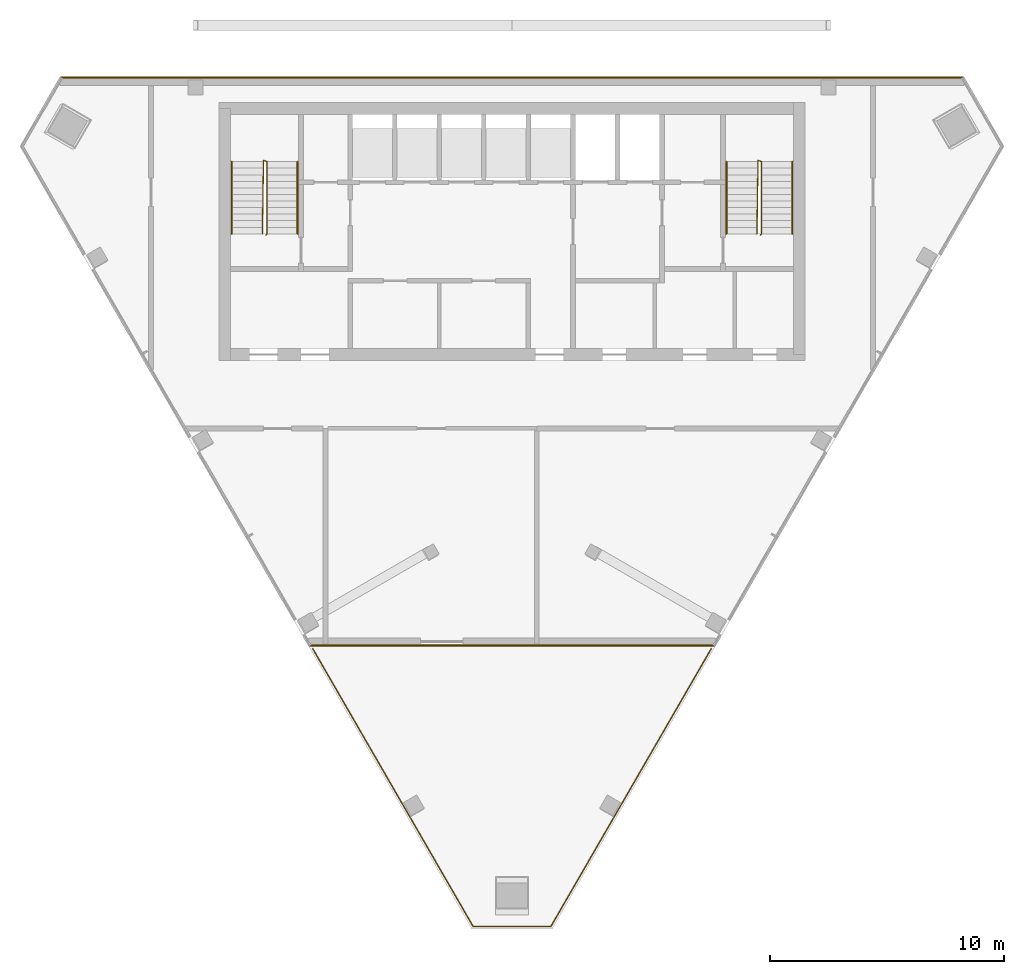
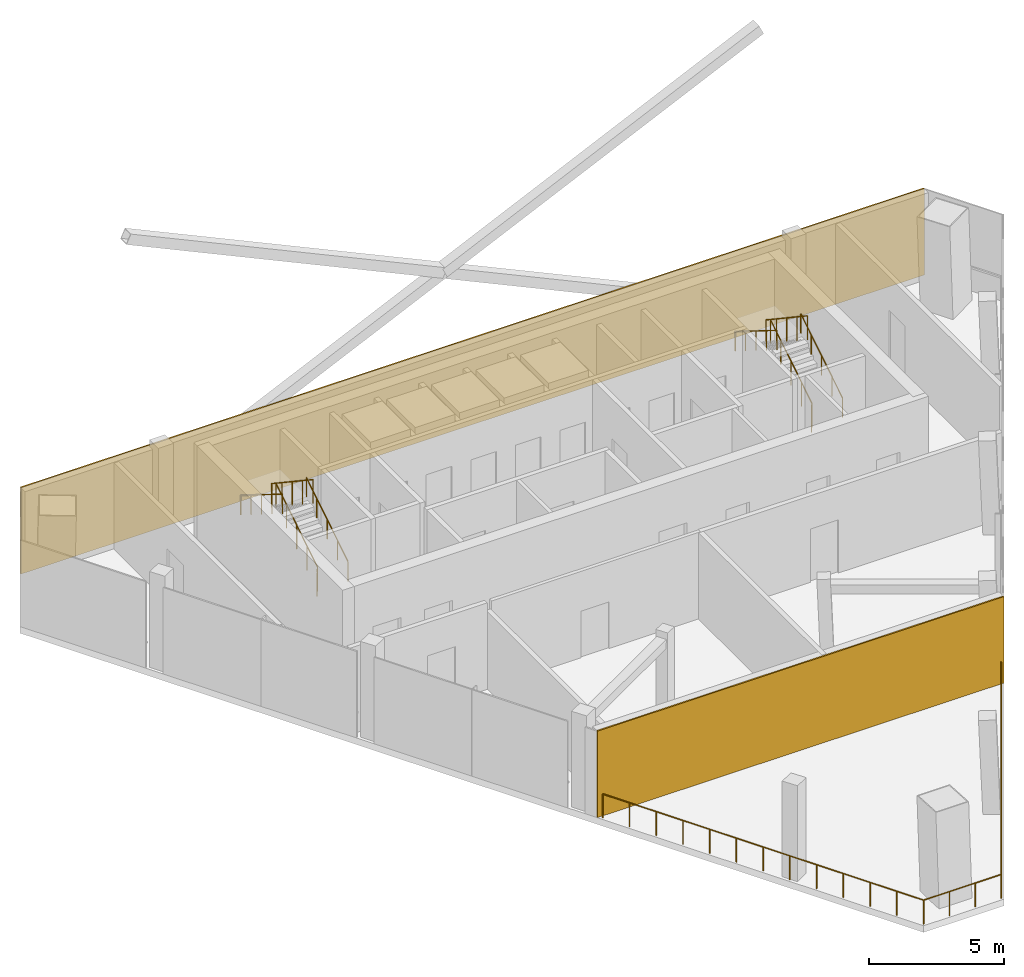
# One storey, part 7 of 8: 7 railings, 2 coverings.
"""IFC4 building model written with IfcOpenShell, lengths in metres."""

from ifc_helpers import new_model, si_unit, direction, frame, frame_2d, origin, origin_2d, place, context, subcontext, project, spatial, rectangle, circle, extrude, material, layer, layer_set, type_object, element, save


model = new_model("IFC4")

# Units and contexts
model_context = context("Model", 3, precision=1e-05, world=origin(), true_north=direction((0.0, 1.0)))
body_context = subcontext(model_context, "Body", "Model", "MODEL_VIEW")
ifc_project = project(units=[si_unit("LENGTHUNIT", "METRE"), si_unit("AREAUNIT", "SQUARE_METRE"), si_unit("VOLUMEUNIT", "CUBIC_METRE"), si_unit("PLANEANGLEUNIT", "RADIAN"), si_unit("MASSUNIT", "GRAM", prefix="KILO")], contexts=[model_context])

# Site, building, storey
site_placement = place(None, origin())
site = spatial("IfcSite", under=ifc_project, at=site_placement, CompositionType="ELEMENT")
building_placement = place(site_placement, origin())
building = spatial("IfcBuilding", under=site, at=building_placement, Name="Altiplano Prism Tower", CompositionType="ELEMENT")
storey_placement = place(building_placement, frame((0.0, 0.0, 334.60009765625)))
storey = spatial("IfcBuildingStorey", under=building, at=storey_placement, Name="L87", CompositionType="ELEMENT", Elevation=334.60009765625)

# Railings
ifc_material_1 = material(Name="Steel S355", Category="steel")
railing_type_1 = type_object("IfcRailingType", Name="Open-edge guard 1100", PredefinedType="GUARDRAIL", material=ifc_material_1)
railing_1_placement = place(storey_placement, frame((93.5009765625, 80.60009765625, 0.0)))
element("IfcRailing", 1, at=railing_1_placement, inside=storey, type_object=railing_type_1, Name="Portal deck guard L87", PredefinedType="GUARDRAIL", context=body_context, shape_type="SweptSolid", body=[
    extrude(circle(Radius=0.02490234375, at=origin_2d()), frame((0.0, 0.0, 1.0751953125), z_axis=(-0.500008468223, -0.866020514598, 0.0), x_axis=(0.866020514598, -0.500008468223, 0.0)), (0.0, 0.0, 1.0), 13.694091796875),
    extrude(circle(Radius=0.02490234375, at=origin_2d()), frame((-6.84716796875, -11.859375, 1.0751953125), z_axis=(-1.0, 0.0, 0.0), x_axis=(0.0, -1.0, 0.0)), (0.0, 0.0, 1.0), 3.3076171875),
    extrude(circle(Radius=0.02490234375, at=origin_2d()), frame((-10.15478515625, -11.859375, 1.0751953125), z_axis=(-0.500008468223, 0.866020514598, 0.0), x_axis=(-0.866020514598, -0.500008468223, 0.0)), (0.0, 0.0, 1.0), 13.694091796875),
    extrude(circle(Radius=0.02490234375, at=origin_2d()), origin(), (0.0, 0.0, 1.0), 1.050048828125),
    extrude(circle(Radius=0.02490234375, at=origin_2d()), frame((-0.570556640625, -0.98828125, 0.0)), (0.0, 0.0, 1.0), 1.050048828125),
    extrude(circle(Radius=0.02490234375, at=origin_2d()), frame((-1.14111328125, -1.9765625, 0.0)), (0.0, 0.0, 1.0), 1.050048828125),
    extrude(circle(Radius=0.02490234375, at=origin_2d()), frame((-1.7119140625, -2.96484375, 0.0)), (0.0, 0.0, 1.0), 1.050048828125),
    extrude(circle(Radius=0.02490234375, at=origin_2d()), frame((-2.282470703125, -3.953125, 0.0)), (0.0, 0.0, 1.0), 1.050048828125),
    extrude(circle(Radius=0.02490234375, at=origin_2d()), frame((-2.85302734375, -4.94140625, 0.0)), (0.0, 0.0, 1.0), 1.050048828125),
    extrude(circle(Radius=0.02490234375, at=origin_2d()), frame((-3.423583984375, -5.9296875, 0.0)), (0.0, 0.0, 1.0), 1.050048828125),
    extrude(circle(Radius=0.02490234375, at=origin_2d()), frame((-3.994140625, -6.91796875, 0.0)), (0.0, 0.0, 1.0), 1.050048828125),
    extrude(circle(Radius=0.02490234375, at=origin_2d()), frame((-4.564697265625, -7.90625, 0.0)), (0.0, 0.0, 1.0), 1.050048828125),
    extrude(circle(Radius=0.02490234375, at=origin_2d()), frame((-5.13525390625, -8.89453125, 0.0)), (0.0, 0.0, 1.0), 1.050048828125),
    extrude(circle(Radius=0.02490234375, at=origin_2d()), frame((-5.7060546875, -9.8828125, 0.0)), (0.0, 0.0, 1.0), 1.050048828125),
    extrude(circle(Radius=0.02490234375, at=origin_2d()), frame((-6.276611328125, -10.87109375, 0.0)), (0.0, 0.0, 1.0), 1.050048828125),
    extrude(circle(Radius=0.02490234375, at=origin_2d()), frame((-6.84716796875, -11.859375, 0.0)), (0.0, 0.0, 1.0), 1.050048828125),
    extrude(circle(Radius=0.02490234375, at=origin_2d()), frame((-7.94970703125, -11.859375, 0.0)), (0.0, 0.0, 1.0), 1.050048828125),
    extrude(circle(Radius=0.02490234375, at=origin_2d()), frame((-9.05224609375, -11.859375, 0.0)), (0.0, 0.0, 1.0), 1.050048828125),
    extrude(circle(Radius=0.02490234375, at=origin_2d()), frame((-10.15478515625, -11.859375, 0.0)), (0.0, 0.0, 1.0), 1.050048828125),
    extrude(circle(Radius=0.02490234375, at=origin_2d()), frame((-10.725341796875, -10.87109375, 0.0)), (0.0, 0.0, 1.0), 1.050048828125),
    extrude(circle(Radius=0.02490234375, at=origin_2d()), frame((-11.2958984375, -9.8828125, 0.0)), (0.0, 0.0, 1.0), 1.050048828125),
    extrude(circle(Radius=0.02490234375, at=origin_2d()), frame((-11.86669921875, -8.89453125, 0.0)), (0.0, 0.0, 1.0), 1.050048828125),
    extrude(circle(Radius=0.02490234375, at=origin_2d()), frame((-12.437255859375, -7.90625, 0.0)), (0.0, 0.0, 1.0), 1.050048828125),
    extrude(circle(Radius=0.02490234375, at=origin_2d()), frame((-13.0078125, -6.91796875, 0.0)), (0.0, 0.0, 1.0), 1.050048828125),
    extrude(circle(Radius=0.02490234375, at=origin_2d()), frame((-13.578369140625, -5.9296875, 0.0)), (0.0, 0.0, 1.0), 1.050048828125),
    extrude(circle(Radius=0.02490234375, at=origin_2d()), frame((-14.14892578125, -4.94140625, 0.0)), (0.0, 0.0, 1.0), 1.050048828125),
    extrude(circle(Radius=0.02490234375, at=origin_2d()), frame((-14.719482421875, -3.953125, 0.0)), (0.0, 0.0, 1.0), 1.050048828125),
    extrude(circle(Radius=0.02490234375, at=origin_2d()), frame((-15.2900390625, -2.96484375, 0.0)), (0.0, 0.0, 1.0), 1.050048828125),
    extrude(circle(Radius=0.02490234375, at=origin_2d()), frame((-15.86083984375, -1.9765625, 0.0)), (0.0, 0.0, 1.0), 1.050048828125),
    extrude(circle(Radius=0.02490234375, at=origin_2d()), frame((-16.431396484375, -0.98828125, 0.0)), (0.0, 0.0, 1.0), 1.050048828125),
    extrude(circle(Radius=0.02490234375, at=origin_2d()), frame((-17.001953125, 0.0, 0.0)), (0.0, 0.0, 1.0), 1.050048828125),
])
railing_type_2 = type_object("IfcRailingType", Name="Stair guard 1100", PredefinedType="GUARDRAIL", material=ifc_material_1)
railing_2_placement = place(storey_placement, frame((74.5, 98.25, 0.0)))
element("IfcRailing", 2, at=railing_2_placement, inside=storey, type_object=railing_type_2, Name="L87 ST1 stair guard 1", PredefinedType="GUARDRAIL", context=body_context, shape_type="SweptSolid", body=[
    extrude(circle(Radius=0.02392578125, at=origin_2d()), frame((0.0, 0.0, 1.076171875), z_axis=(0.265383341853, 0.265383341853, 0.926899867156), x_axis=(-0.707106781187, 0.707106781187, 0.0)), (0.0, 0.0, 1.0), 0.1884765625),
    extrude(circle(Radius=0.02392578125, at=origin_2d()), frame((0.050048828125, 0.050048828125, 1.2509765625), z_axis=(0.0, 0.847979421464, 0.530029150871), x_axis=(-1.0, 0.0, 0.0)), (0.0, 0.0, 1.0), 3.632080078125),
    extrude(circle(Radius=0.02392578125, at=origin_2d()), frame((0.050048828125, 3.1298828125, 3.17578125), z_axis=(-0.948683298051, 0.316227766017, 0.0), x_axis=(-0.316227766017, -0.948683298051, 0.0)), (0.0, 0.0, 1.0), 0.158203125),
    extrude(circle(Radius=0.02392578125, at=origin_2d()), frame((-0.10009765625, 3.179931640625, 3.17578125), z_axis=(-0.01321257878, -0.830319901794, 0.557130405244), x_axis=(0.999873418038, -0.015910622253, 0.0)), (0.0, 0.0, 1.0), 3.76953125),
    extrude(circle(Radius=0.02099609375, at=origin_2d()), origin(), (0.0, 0.0, 1.0), 1.052001953125),
    extrude(circle(Radius=0.02099609375, at=origin_2d()), frame((0.050048828125, 0.050048828125, 0.1748046875)), (0.0, 0.0, 1.0), 1.052001953125),
    extrude(circle(Radius=0.02099609375, at=origin_2d()), frame((0.050048828125, 0.820068359375, 0.656005859375)), (0.0, 0.0, 1.0), 1.052001953125),
    extrude(circle(Radius=0.02099609375, at=origin_2d()), frame((0.050048828125, 1.58984375, 1.13720703125)), (0.0, 0.0, 1.0), 1.052001953125),
    extrude(circle(Radius=0.02099609375, at=origin_2d()), frame((0.050048828125, 2.35986328125, 1.61865234375)), (0.0, 0.0, 1.0), 1.052001953125),
    extrude(circle(Radius=0.02099609375, at=origin_2d()), frame((0.050048828125, 3.1298828125, 2.099853515625)), (0.0, 0.0, 1.0), 1.052001953125),
    extrude(circle(Radius=0.02099609375, at=origin_2d()), frame((-0.10009765625, 3.179931640625, 2.099853515625)), (0.0, 0.0, 1.0), 1.052001953125),
    extrude(circle(Radius=0.02099609375, at=origin_2d()), frame((-0.112548828125, 2.3974609375, 2.625)), (0.0, 0.0, 1.0), 1.052001953125),
    extrude(circle(Radius=0.02099609375, at=origin_2d()), frame((-0.125, 1.614990234375, 3.14990234375)), (0.0, 0.0, 1.0), 1.052001953125),
    extrude(circle(Radius=0.02099609375, at=origin_2d()), frame((-0.137451171875, 0.83251953125, 3.6748046875)), (0.0, 0.0, 1.0), 1.052001953125),
    extrude(circle(Radius=0.02099609375, at=origin_2d()), frame((-0.14990234375, 0.050048828125, 4.199951171875)), (0.0, 0.0, 1.0), 1.052001953125),
])
railing_3_placement = place(storey_placement, frame((95.60009765625, 98.25, 0.0)))
element("IfcRailing", 3, at=railing_3_placement, inside=storey, type_object=railing_type_2, Name="L87 ST2 stair guard 1", PredefinedType="GUARDRAIL", context=body_context, shape_type="SweptSolid", body=[
    extrude(circle(Radius=0.02392578125, at=origin_2d()), frame((0.0, 0.0, 1.076171875), z_axis=(0.264179342666, 0.265474339444, 0.927217692888), x_axis=(-0.708833529934, 0.705375805398, 0.0)), (0.0, 0.0, 1.0), 0.1884765625),
    extrude(circle(Radius=0.02392578125, at=origin_2d()), frame((0.0498046875, 0.050048828125, 1.2509765625), z_axis=(0.0, 0.847979421464, 0.530029150871), x_axis=(-1.0, 0.0, 0.0)), (0.0, 0.0, 1.0), 3.632080078125),
    extrude(circle(Radius=0.02392578125, at=origin_2d()), frame((0.0498046875, 3.1298828125, 3.17578125), z_axis=(-0.948528701346, 0.316691178788, 0.0), x_axis=(-0.316691178788, -0.948528701346, 0.0)), (0.0, 0.0, 1.0), 0.157958984375),
    extrude(circle(Radius=0.02392578125, at=origin_2d()), frame((-0.10009765625, 3.179931640625, 3.17578125), z_axis=(-0.013277334934, -0.83031918951, 0.557129927314), x_axis=(0.999872174235, -0.01598859561, 0.0)), (0.0, 0.0, 1.0), 3.76953125),
    extrude(circle(Radius=0.02099609375, at=origin_2d()), origin(), (0.0, 0.0, 1.0), 1.052001953125),
    extrude(circle(Radius=0.02099609375, at=origin_2d()), frame((0.0498046875, 0.050048828125, 0.1748046875)), (0.0, 0.0, 1.0), 1.052001953125),
    extrude(circle(Radius=0.02099609375, at=origin_2d()), frame((0.0498046875, 0.820068359375, 0.656005859375)), (0.0, 0.0, 1.0), 1.052001953125),
    extrude(circle(Radius=0.02099609375, at=origin_2d()), frame((0.0498046875, 1.58984375, 1.13720703125)), (0.0, 0.0, 1.0), 1.052001953125),
    extrude(circle(Radius=0.02099609375, at=origin_2d()), frame((0.0498046875, 2.35986328125, 1.61865234375)), (0.0, 0.0, 1.0), 1.052001953125),
    extrude(circle(Radius=0.02099609375, at=origin_2d()), frame((0.0498046875, 3.1298828125, 2.099853515625)), (0.0, 0.0, 1.0), 1.052001953125),
    extrude(circle(Radius=0.02099609375, at=origin_2d()), frame((-0.10009765625, 3.179931640625, 2.099853515625)), (0.0, 0.0, 1.0), 1.052001953125),
    extrude(circle(Radius=0.02099609375, at=origin_2d()), frame((-0.112548828125, 2.3974609375, 2.625)), (0.0, 0.0, 1.0), 1.052001953125),
    extrude(circle(Radius=0.02099609375, at=origin_2d()), frame((-0.125, 1.614990234375, 3.14990234375)), (0.0, 0.0, 1.0), 1.052001953125),
    extrude(circle(Radius=0.02099609375, at=origin_2d()), frame((-0.1376953125, 0.83251953125, 3.6748046875)), (0.0, 0.0, 1.0), 1.052001953125),
    extrude(circle(Radius=0.02099609375, at=origin_2d()), frame((-0.150146484375, 0.050048828125, 4.199951171875)), (0.0, 0.0, 1.0), 1.052001953125),
])
railing_type_3 = type_object("IfcRailingType", Name="Stair handrail 900", PredefinedType="HANDRAIL", material=ifc_material_1)
railing_4_placement = place(storey_placement, frame((75.85009765625, 98.300048828125, 0.1748046875)))
element("IfcRailing", 4, at=railing_4_placement, inside=storey, type_object=railing_type_3, Name="L87 ST1 stair handrail 1", PredefinedType="HANDRAIL", context=body_context, shape_type="SweptSolid", body=[
    extrude(circle(Radius=0.02392578125, at=origin_2d()), frame((0.0, 0.0, 0.8759765625), z_axis=(0.0, 0.847979421464, 0.530029150871), x_axis=(-1.0, 0.0, 0.0)), (0.0, 0.0, 1.0), 3.632080078125),
    extrude(circle(Radius=0.02099609375, at=origin_2d()), origin(), (0.0, 0.0, 1.0), 0.851806640625),
    extrude(circle(Radius=0.02099609375, at=origin_2d()), frame((0.0, 0.77001953125, 0.481201171875)), (0.0, 0.0, 1.0), 0.851806640625),
    extrude(circle(Radius=0.02099609375, at=origin_2d()), frame((0.0, 1.5400390625, 0.96240234375)), (0.0, 0.0, 1.0), 0.851806640625),
    extrude(circle(Radius=0.02099609375, at=origin_2d()), frame((0.0, 2.309814453125, 1.44384765625)), (0.0, 0.0, 1.0), 0.851806640625),
    extrude(circle(Radius=0.02099609375, at=origin_2d()), frame((0.0, 3.079833984375, 1.925048828125)), (0.0, 0.0, 1.0), 0.851806640625),
])
railing_5_placement = place(storey_placement, frame((73.050048828125, 101.3798828125, 2.27490234375)))
element("IfcRailing", 5, at=railing_5_placement, inside=storey, type_object=railing_type_3, Name="L87 ST1 stair handrail 2", PredefinedType="HANDRAIL", context=body_context, shape_type="SweptSolid", body=[
    extrude(circle(Radius=0.02392578125, at=origin_2d()), frame((0.0, 0.0, 0.8759765625), z_axis=(0.0, -0.847979421464, 0.530029150871), x_axis=(1.0, 0.0, 0.0)), (0.0, 0.0, 1.0), 3.632080078125),
    extrude(circle(Radius=0.02099609375, at=origin_2d()), origin(), (0.0, 0.0, 1.0), 0.851806640625),
    extrude(circle(Radius=0.02099609375, at=origin_2d()), frame((0.0, -0.77001953125, 0.481201171875)), (0.0, 0.0, 1.0), 0.851806640625),
    extrude(circle(Radius=0.02099609375, at=origin_2d()), frame((0.0, -1.5400390625, 0.96240234375)), (0.0, 0.0, 1.0), 0.851806640625),
    extrude(circle(Radius=0.02099609375, at=origin_2d()), frame((0.0, -2.309814453125, 1.44384765625)), (0.0, 0.0, 1.0), 0.851806640625),
    extrude(circle(Radius=0.02099609375, at=origin_2d()), frame((0.0, -3.079833984375, 1.925048828125)), (0.0, 0.0, 1.0), 0.851806640625),
])
railing_6_placement = place(storey_placement, frame((96.949951171875, 98.300048828125, 0.1748046875)))
element("IfcRailing", 6, at=railing_6_placement, inside=storey, type_object=railing_type_3, Name="L87 ST2 stair handrail 1", PredefinedType="HANDRAIL", context=body_context, shape_type="SweptSolid", body=[
    extrude(circle(Radius=0.02392578125, at=origin_2d()), frame((0.0, 0.0, 0.8759765625), z_axis=(0.0, 0.847979421464, 0.530029150871), x_axis=(-1.0, 0.0, 0.0)), (0.0, 0.0, 1.0), 3.632080078125),
    extrude(circle(Radius=0.02099609375, at=origin_2d()), origin(), (0.0, 0.0, 1.0), 0.851806640625),
    extrude(circle(Radius=0.02099609375, at=origin_2d()), frame((0.0, 0.77001953125, 0.481201171875)), (0.0, 0.0, 1.0), 0.851806640625),
    extrude(circle(Radius=0.02099609375, at=origin_2d()), frame((0.0, 1.5400390625, 0.96240234375)), (0.0, 0.0, 1.0), 0.851806640625),
    extrude(circle(Radius=0.02099609375, at=origin_2d()), frame((0.0, 2.309814453125, 1.44384765625)), (0.0, 0.0, 1.0), 0.851806640625),
    extrude(circle(Radius=0.02099609375, at=origin_2d()), frame((0.0, 3.079833984375, 1.925048828125)), (0.0, 0.0, 1.0), 0.851806640625),
])
railing_7_placement = place(storey_placement, frame((94.14990234375, 101.3798828125, 2.27490234375)))
element("IfcRailing", 7, at=railing_7_placement, inside=storey, type_object=railing_type_3, Name="L87 ST2 stair handrail 2", PredefinedType="HANDRAIL", context=body_context, shape_type="SweptSolid", body=[
    extrude(circle(Radius=0.02392578125, at=origin_2d()), frame((0.0, 0.0, 0.8759765625), z_axis=(0.0, -0.847979421464, 0.530029150871), x_axis=(1.0, 0.0, 0.0)), (0.0, 0.0, 1.0), 3.632080078125),
    extrude(circle(Radius=0.02099609375, at=origin_2d()), origin(), (0.0, 0.0, 1.0), 0.851806640625),
    extrude(circle(Radius=0.02099609375, at=origin_2d()), frame((0.0, -0.77001953125, 0.481201171875)), (0.0, 0.0, 1.0), 0.851806640625),
    extrude(circle(Radius=0.02099609375, at=origin_2d()), frame((0.0, -1.5400390625, 0.96240234375)), (0.0, 0.0, 1.0), 0.851806640625),
    extrude(circle(Radius=0.02099609375, at=origin_2d()), frame((0.0, -2.309814453125, 1.44384765625)), (0.0, 0.0, 1.0), 0.851806640625),
    extrude(circle(Radius=0.02099609375, at=origin_2d()), frame((0.0, -3.079833984375, 1.925048828125)), (0.0, 0.0, 1.0), 0.851806640625),
])

# Coverings
ifc_material_2 = material(Name="Warm limestone cast stone", Category="masonry")
ifc_layer = layer(ifc_material_2, 0.06005859375)
ifc_layer_set = layer_set([ifc_layer], Name="Warm limestone cast stone")
covering_type = type_object("IfcCoveringType", Name="Stone cladding 60", PredefinedType="CLADDING", material=ifc_layer_set)
covering_1_placement = place(storey_placement, frame((65.7197265625, 104.969970703125, 0.0), z_axis=(0.0, 0.0, 1.0), x_axis=(1.0, 0.0, 0.0)))
element("IfcCovering", 8, at=covering_1_placement, inside=storey, type_object=covering_type, Name="Stone cladding north face L87", PredefinedType="CLADDING", context=body_context, shape_type="SweptSolid", body=[
    extrude(rectangle(XDim=38.560546875, YDim=0.06005859375, at=frame_2d((19.2802734375, 0.0))), origin(), (0.0, 0.0, 1.0), 3.89990234375),
])
covering_2_placement = place(storey_placement, frame((93.674072265625, 80.72998046875, 0.0), z_axis=(0.0, 0.0, 1.0), x_axis=(-1.0, 0.0, 0.0)))
element("IfcCovering", 9, at=covering_2_placement, inside=storey, type_object=covering_type, Name="Stone cladding portal cut L87", PredefinedType="CLADDING", context=body_context, shape_type="SweptSolid", body=[
    extrude(rectangle(XDim=17.34814453125, YDim=0.06005859375, at=frame_2d((8.674072265625, 0.0))), origin(), (0.0, 0.0, 1.0), 3.89990234375),
])

save(model, "model.ifc")
